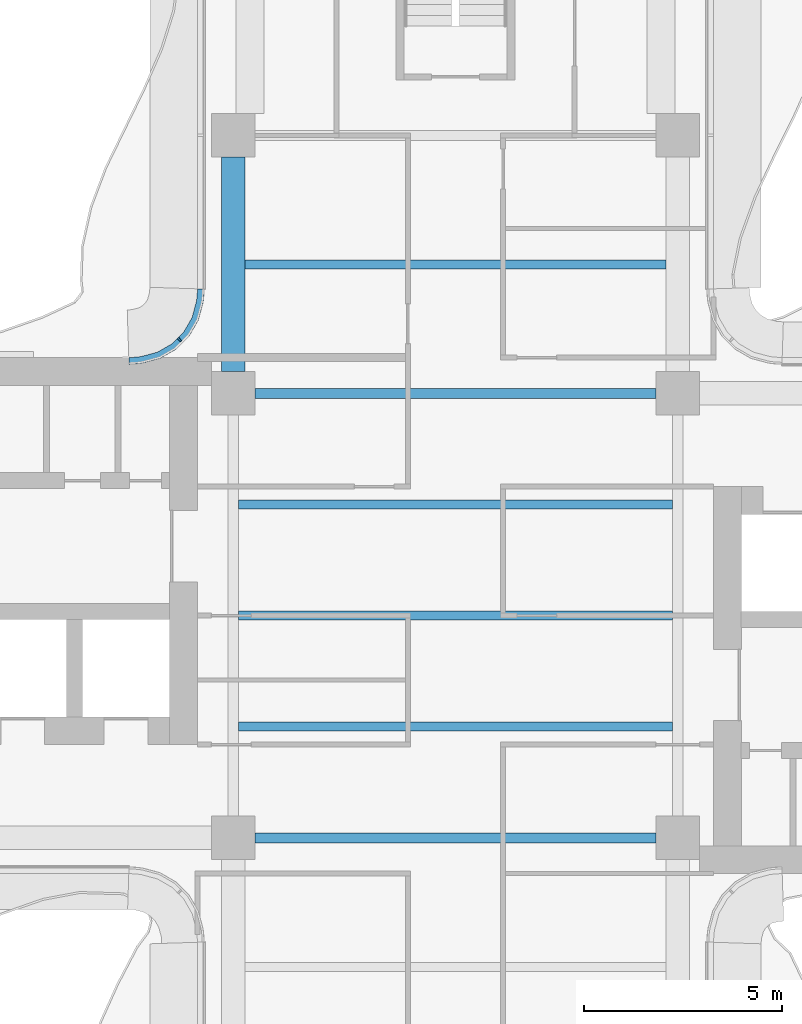
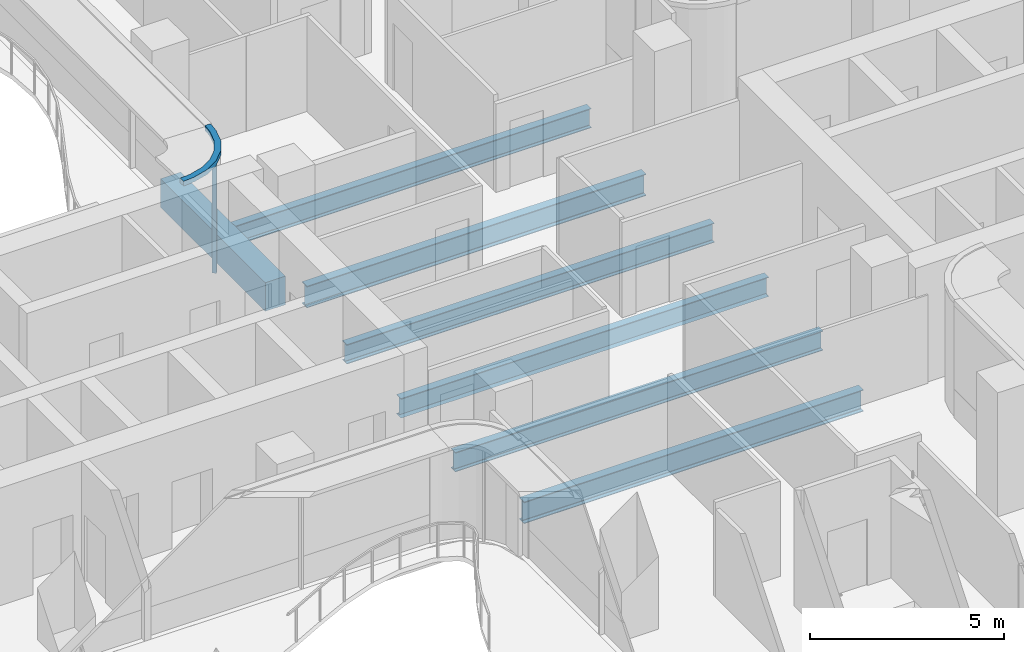
# One storey, part 4 of 16: 7 beams, 2 members, 1 element without a shape of its own.
"""IFC4 building model written with IfcOpenShell, lengths in metres."""

from ifc_helpers import new_model, si_unit, direction, frame, origin, origin_2d, place, context, subcontext, project, spatial, polyline, rectangle, i_section, outline, extrude, source, transform, mapped, material, layer, layer_set, material_profile, profile_set, type_object, element, aggregate, save


model = new_model("IFC4")

# Units and contexts
model_context = context("Model", 3, precision=1e-05, world=origin(), true_north=direction((0.0, 1.0)))
body_context = subcontext(model_context, "Body", "Model", "MODEL_VIEW")
ifc_project = project(units=[si_unit("LENGTHUNIT", "METRE"), si_unit("AREAUNIT", "SQUARE_METRE"), si_unit("VOLUMEUNIT", "CUBIC_METRE"), si_unit("PLANEANGLEUNIT", "RADIAN"), si_unit("MASSUNIT", "GRAM", prefix="KILO")], contexts=[model_context])

# Site, building, storey
site_placement = place(None, origin())
site = spatial("IfcSite", under=ifc_project, at=site_placement, CompositionType="ELEMENT")
building_placement = place(site_placement, origin())
building = spatial("IfcBuilding", under=site, at=building_placement, Name="Trellis Farm Tower", CompositionType="ELEMENT")
storey_placement = place(building_placement, frame((0.0, 0.0, 248.0)))
storey = spatial("IfcBuildingStorey", under=building, at=storey_placement, Name="L55", CompositionType="ELEMENT", Elevation=248.0)

# Beams
ifc_material_1 = material(Name="Steel S355", Category="steel")
ifc_material_profile_1 = material_profile(ifc_material_1, i_section(OverallWidth=0.22900390625, OverallDepth=0.6123046875, WebThickness=0.011962890625, FlangeThickness=0.01953125, FilletRadius=0.0126953125, at=origin_2d()), Name="UB 610x229x125")
ifc_profile_set_1 = profile_set([ifc_material_profile_1], Name="Steel S355")
beam_type_1 = type_object("IfcBeamType", Name="UB 610x229x125 joist", PredefinedType="JOIST", material=ifc_profile_set_1)
shared_shape_1 = source(origin(), body_context, "Body", "SweptSolid", [
    extrude(i_section(OverallWidth=0.22900390625, OverallDepth=0.6123046875, WebThickness=0.011962890625, FlangeThickness=0.01953125, FilletRadius=0.0126953125, at=origin_2d()), origin(), (0.0, 0.0, 1.0), 10.9462890625),
])
for number, where, z_axis, x_axis, name in (
    (1, (-5.47314453125, -2.800048828125, -0.506103515625), (1.0, 0.0, 0.0), (0.0, 1.0, 0.0), "Floor beam"),
    (2, (-5.47314453125, 0.0, -0.506103515625), (1.0, 0.0, 0.0), (0.0, 1.0, 0.0), "Floor beam"),
    (3, (-5.47314453125, 2.800048828125, -0.506103515625), (1.0, 0.0, 0.0), (0.0, 1.0, 0.0), "Floor beam"),
):
    element("IfcBeam", number, at=place(storey_placement, frame(where, z_axis=z_axis, x_axis=x_axis)), inside=storey, type_object=beam_type_1, Name=name, PredefinedType="JOIST", context=body_context, shape_type="MappedRepresentation", body=[
        mapped(shared_shape_1, transform((0.0, 0.0, 0.0))),
    ])
shared_shape_2 = source(origin(), body_context, "Body", "SweptSolid", [
    extrude(i_section(OverallWidth=0.22900390625, OverallDepth=0.6123046875, WebThickness=0.011962890625, FlangeThickness=0.01953125, FilletRadius=0.0126953125, at=origin_2d()), origin(), (0.0, 0.0, 1.0), 10.60009765625),
])
beam_1_placement = place(storey_placement, frame((-5.300048828125, 8.85009765625, -0.506103515625), z_axis=(1.0, 0.0, 0.0), x_axis=(0.0, 1.0, 0.0)))
element("IfcBeam", 4, at=beam_1_placement, inside=storey, type_object=beam_type_1, Name="Floor beam", PredefinedType="JOIST", context=body_context, shape_type="MappedRepresentation", body=[
    mapped(shared_shape_2, transform((0.0, 0.0, 0.0))),
])
ifc_material_profile_2 = material_profile(ifc_material_1, i_section(OverallWidth=0.253662109375, OverallDepth=0.68359375, WebThickness=0.012451171875, FlangeThickness=0.021728515625, FilletRadius=0.01513671875, at=origin_2d()), Name="UB 686x254x140")
ifc_profile_set_2 = profile_set([ifc_material_profile_2], Name="Steel S355")
beam_type_2 = type_object("IfcBeamType", Name="UB 686x254x140", PredefinedType="BEAM", material=ifc_profile_set_2)
shared_shape_3 = source(origin(), body_context, "Body", "SweptSolid", [
    extrude(i_section(OverallWidth=0.253662109375, OverallDepth=0.68359375, WebThickness=0.012451171875, FlangeThickness=0.021728515625, FilletRadius=0.01513671875, at=origin_2d()), origin(), (0.0, 0.0, 1.0), 10.10009765625),
])
for number, where, z_axis, x_axis, name in (
    (5, (-5.050048828125, -5.60009765625, -0.541748046875), (1.0, 0.0, 0.0), (0.0, 1.0, 0.0), "Girder"),
    (6, (-5.050048828125, 5.60009765625, -0.541748046875), (1.0, 0.0, 0.0), (0.0, 1.0, 0.0), "Girder"),
):
    element("IfcBeam", number, at=place(storey_placement, frame(where, z_axis=z_axis, x_axis=x_axis)), inside=storey, type_object=beam_type_2, Name=name, PredefinedType="BEAM", context=body_context, shape_type="MappedRepresentation", body=[
        mapped(shared_shape_3, transform((0.0, 0.0, 0.0))),
    ])
ifc_material_2 = material(Name="Concrete C60/75", Category="concrete")
ifc_material_profile_3 = material_profile(ifc_material_2, rectangle(XDim=0.60009765625, YDim=0.89990234375, at=origin_2d()), Name="RC spandrel beam 600x900 C60/75")
ifc_profile_set_3 = profile_set([ifc_material_profile_3], Name="Concrete C60/75")
beam_type_3 = type_object("IfcBeamType", Name="RC spandrel beam 600x900 C60/75", PredefinedType="SPANDREL", material=ifc_profile_set_3)
shared_shape_4 = source(origin(), body_context, "Body", "SweptSolid", [
    extrude(rectangle(XDim=0.60009765625, YDim=0.89990234375, at=origin_2d()), origin(), (0.0, 0.0, 1.0), 5.400146484375),
])
beam_2_placement = place(storey_placement, frame((-5.60009765625, 6.14990234375, -0.64990234375), z_axis=(0.0, 1.0, 0.0), x_axis=(-1.0, 0.0, 0.0)))
element("IfcBeam", 7, at=beam_2_placement, inside=storey, type_object=beam_type_3, Name="Girder", PredefinedType="SPANDREL", context=body_context, shape_type="MappedRepresentation", body=[
    mapped(shared_shape_4, transform((0.0, 0.0, 0.0))),
])

# Curtain wall, members
ifc_material_3 = material(Name="Aluminium and glass curtain wall", Category="aluminium")
ifc_layer_1 = layer(ifc_material_3, 0.166015625)
ifc_layer_set_1 = layer_set([ifc_layer_1], Name="WINTER GARDEN CURTAIN WALL CW3")
curtain_wall_type = type_object("IfcCurtainWallType", Name="WINTER GARDEN CURTAIN WALL CW3", PredefinedType="NOTDEFINED", material=ifc_layer_set_1)
curtain_wall_placement = place(storey_placement, origin())
curtain_wall = element("IfcCurtainWall", 8, at=curtain_wall_placement, inside=storey, type_object=curtain_wall_type, Name="CW3 004", PredefinedType="NOTDEFINED")
ifc_material_4 = material(Name="Aluminium extrusion 6063-T6", Category="aluminium")
ifc_layer_2 = layer(ifc_material_4, 0.169921875)
ifc_layer_set_2 = layer_set([ifc_layer_2], Name="Aluminium extrusion 6063-T6")
member_type_1 = type_object("IfcMemberType", Name="CW3 TRANSOM 170x150", PredefinedType="USERDEFINED", material=ifc_layer_set_2)
shared_shape_5 = source(origin(), body_context, "Body", "SweptSolid", [
    extrude(outline(polyline([(-6.5, 8.2314453125), (-6.513916015625, 8.01953125), (-6.527587890625, 7.91552734375), (-6.63671875, 7.508544921875), (-6.846923828125, 7.144287109375), (-7.144287109375, 6.846923828125), (-7.508544921875, 6.63671875), (-7.91552734375, 6.527587890625), (-8.01953125, 6.513916015625), (-8.2314453125, 6.5), (-8.225830078125, 6.330078125), (-8.0029296875, 6.3447265625), (-7.88232421875, 6.360595703125), (-7.44287109375, 6.478271484375), (-7.0400390625, 6.7109375), (-6.7109375, 7.0400390625), (-6.478271484375, 7.44287109375), (-6.360595703125, 7.88232421875), (-6.3447265625, 8.0029296875), (-6.330078125, 8.225830078125), (-6.5, 8.2314453125)])), origin(), (0.0, 0.0, 1.0), 0.14990234375),
])
member_1_placement = place(storey_placement, frame((0.0, 0.0, 3.550048828125)))
member_1 = element("IfcMember", 9, at=member_1_placement, type_object=member_type_1, Name="TR3 004", ObjectType="TRANSOM", PredefinedType="USERDEFINED", context=body_context, shape_type="MappedRepresentation", body=[
    mapped(shared_shape_5, transform((0.0, 0.0, 0.0))),
])
ifc_material_profile_4 = material_profile(ifc_material_4, rectangle(XDim=0.050048828125, YDim=0.1201171875, at=origin_2d()), Name="MULLION 50x120")
ifc_profile_set_4 = profile_set([ifc_material_profile_4], Name="Aluminium extrusion 6063-T6")
member_type_2 = type_object("IfcMemberType", Name="CW3 MULLION 50x120", PredefinedType="MULLION", material=ifc_profile_set_4)
shared_shape_6 = source(origin(), body_context, "Body", "SweptSolid", [
    extrude(rectangle(XDim=0.050048828125, YDim=0.1201171875, at=origin_2d()), origin(), (0.0, 0.0, 1.0), 3.550048828125),
])
member_2_placement = place(storey_placement, frame((-6.953125, 6.953125, 0.0), z_axis=(0.0, 0.0, 1.0), x_axis=(-0.707106781187, -0.707106781187, 0.0)))
member_2 = element("IfcMember", 10, at=member_2_placement, type_object=member_type_2, Name="MU3 004-01", PredefinedType="MULLION", context=body_context, shape_type="MappedRepresentation", body=[
    mapped(shared_shape_6, transform((0.0, 0.0, 0.0))),
])
aggregate(curtain_wall, [member_2, member_1])

save(model, "model.ifc")
